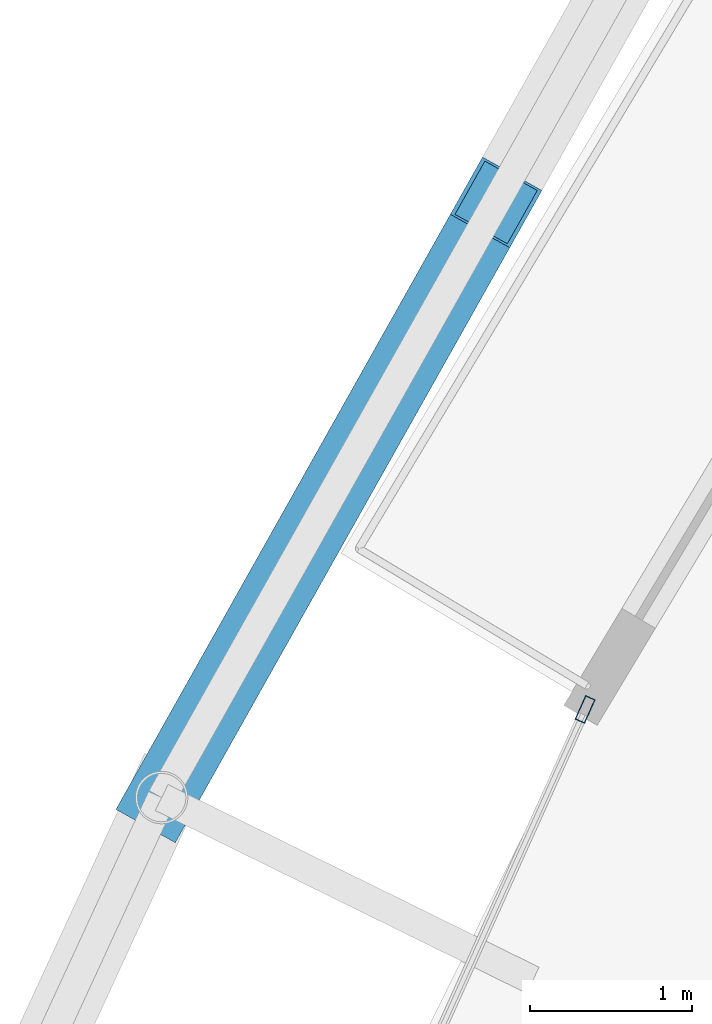
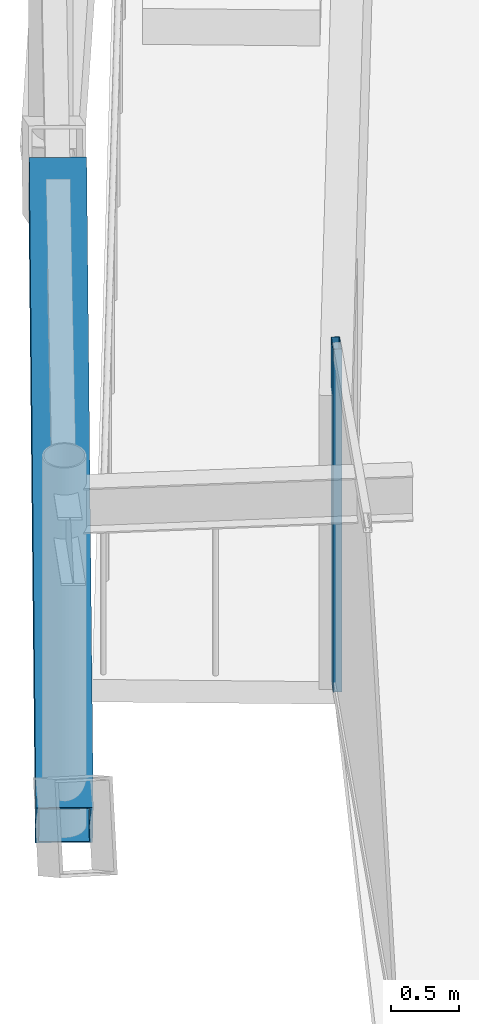
# One storey, part 10 of 30: 2 members, 1 element without a shape of its own.
"""IFC4 building model written with IfcOpenShell, lengths in metres."""

from ifc_helpers import new_model, si_unit, direction, frame, origin, origin_2d, place, context, subcontext, project, spatial, hollow_rectangle, extrude, material, layer, layer_set, material_profile, profile_set, type_object, element, aggregate, save


model = new_model("IFC4")

# Units and contexts
model_context = context("Model", 3, precision=1e-05, world=origin(), true_north=direction((0.0, 1.0)))
body_context = subcontext(model_context, "Body", "Model", "MODEL_VIEW")
ifc_project = project(units=[si_unit("LENGTHUNIT", "METRE"), si_unit("AREAUNIT", "SQUARE_METRE"), si_unit("VOLUMEUNIT", "CUBIC_METRE"), si_unit("PLANEANGLEUNIT", "RADIAN"), si_unit("MASSUNIT", "GRAM", prefix="KILO")], contexts=[model_context])

# Site, building, storey
site_placement = place(None, origin())
site = spatial("IfcSite", under=ifc_project, at=site_placement, CompositionType="ELEMENT")
building_placement = place(site_placement, origin())
building = spatial("IfcBuilding", under=site, at=building_placement, Name="Orvanel Arch Residences", CompositionType="ELEMENT")
storey_placement = place(building_placement, frame((0.0, 0.0, 240.35009765625)))
storey = spatial("IfcBuildingStorey", under=building, at=storey_placement, Name="L68", CompositionType="ELEMENT", Elevation=240.35009765625)

# Member
ifc_material_1 = material(Name="Structural steel AS/NZS 3678 Grade 350", Category="steel")
ifc_material_profile_1 = material_profile(ifc_material_1, hollow_rectangle(XDim=0.419921875, YDim=0.719970703125, WallThickness=0.02490234375, at=origin_2d()), Name="RHS720x420x25")
ifc_profile_set_1 = profile_set([ifc_material_profile_1], Name="Structural steel AS/NZS 3678 Grade 350")
member_type_1 = type_object("IfcMemberType", Name="BR-720RHS-EXT", PredefinedType="BRACE", material=ifc_profile_set_1)
member_1_placement = place(storey_placement, frame((14.10302734375, 23.6669921875, 0.0), z_axis=(0.405368436103, 0.721273603808, 0.561641183907), x_axis=(-0.87175518514, 0.489941728353, 0.0)))
element("IfcMember", 1, at=member_1_placement, inside=storey, type_object=member_type_1, Name="L68 Exterior Sky-Garden V-Frame Chevron F1B2.2", PredefinedType="BRACE", context=body_context, shape_type="SweptSolid", body=[
    extrude(hollow_rectangle(XDim=0.419921875, YDim=0.719970703125, WallThickness=0.02490234375, at=origin_2d()), origin(), (0.0, 0.0, 1.0), 5.086669921875),
])

# Curtain wall, member
ifc_material_2 = material(Name="Bronze-anodised aluminium AA6063-T6", Category="aluminium")
ifc_layer = layer(ifc_material_2, 0.175048828125)
ifc_layer_set = layer_set([ifc_layer], Name="Bronze-anodised aluminium AA6063-T6")
curtain_wall_type = type_object("IfcCurtainWallType", Name="CW4-HI-SYS", PredefinedType="NOTDEFINED", material=ifc_layer_set)
curtain_wall_placement = place(storey_placement, origin())
curtain_wall = element("IfcCurtainWall", 2, at=curtain_wall_placement, inside=storey, type_object=curtain_wall_type, Name="L68 CW4-HI-SYS Unitised Curtain Wall", PredefinedType="NOTDEFINED")
ifc_material_profile_2 = material_profile(ifc_material_2, hollow_rectangle(XDim=0.06494140625, YDim=0.159912109375, WallThickness=0.00390625, at=origin_2d()), Name="ALU160x65x4")
ifc_profile_set_2 = profile_set([ifc_material_profile_2], Name="Bronze-anodised aluminium AA6063-T6")
member_type_2 = type_object("IfcMemberType", Name="MUL-160x65", PredefinedType="MULLION", material=ifc_profile_set_2)
member_2_placement = place(storey_placement, frame((16.713623046875, 24.21044921875, 0.0), z_axis=(0.0, 0.0, 1.0), x_axis=(0.911827998826, -0.410572405987, 0.0)))
member_2 = element("IfcMember", 3, at=member_2_placement, type_object=member_type_2, Name="CW-S4 mullion 1", PredefinedType="MULLION", context=body_context, shape_type="SweptSolid", body=[
    extrude(hollow_rectangle(XDim=0.06494140625, YDim=0.159912109375, WallThickness=0.00390625, at=origin_2d()), origin(), (0.0, 0.0, 1.0), 3.059814453125),
])
aggregate(curtain_wall, [member_2])

save(model, "model.ifc")
